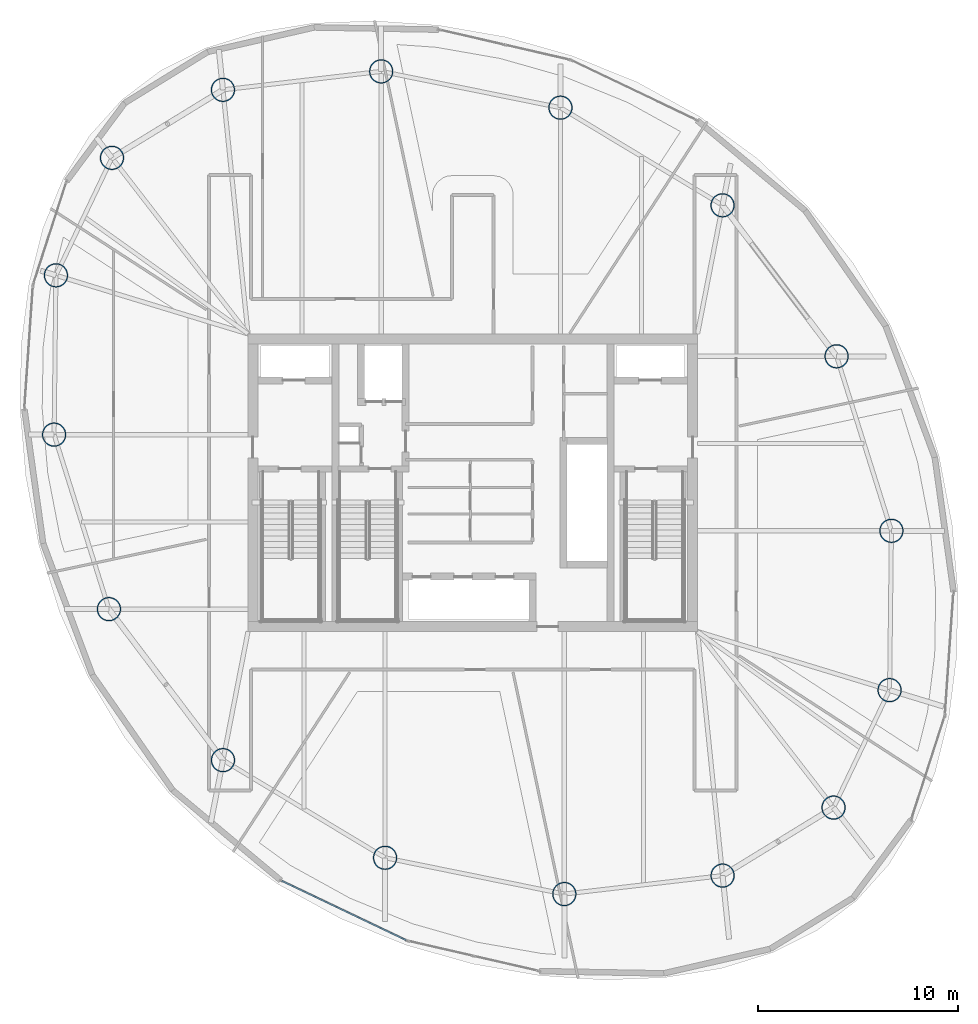
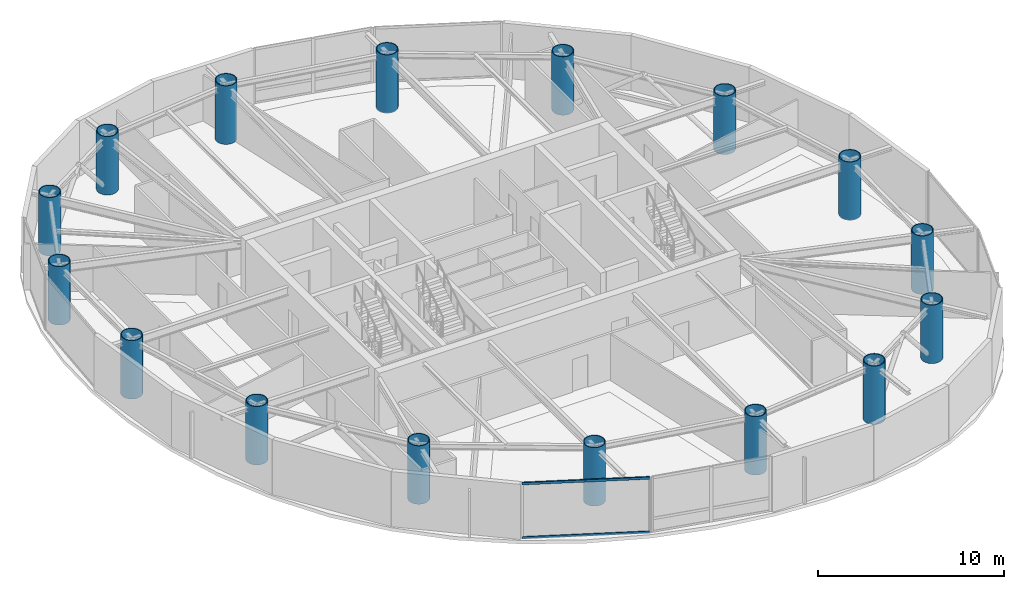
# One storey, part 1 of 22: 16 columns, 2 members, 1 element without a shape of its own.
"""IFC4 building model written with IfcOpenShell, lengths in metres."""

from ifc_helpers import new_model, si_unit, direction, frame, origin, origin_2d, place, context, subcontext, project, spatial, hollow_rectangle, hollow_circle, extrude, material, layer, layer_set, material_profile, profile_set, type_object, element, aggregate, save


model = new_model("IFC4")

# Units and contexts
model_context = context("Model", 3, precision=1e-05, world=origin(), true_north=direction((0.0, 1.0)))
body_context = subcontext(model_context, "Body", "Model", "MODEL_VIEW")
ifc_project = project(units=[si_unit("LENGTHUNIT", "METRE"), si_unit("AREAUNIT", "SQUARE_METRE"), si_unit("VOLUMEUNIT", "CUBIC_METRE"), si_unit("PLANEANGLEUNIT", "RADIAN"), si_unit("MASSUNIT", "GRAM", prefix="KILO")], contexts=[model_context])

# Site, building, storey
site_placement = place(None, origin())
site = spatial("IfcSite", under=ifc_project, at=site_placement, CompositionType="ELEMENT")
building_placement = place(site_placement, origin())
building = spatial("IfcBuilding", under=site, at=building_placement, Name="Bramvorn Convention Spire", CompositionType="ELEMENT")
storey_placement = place(building_placement, frame((0.0, 0.0, 221.25)))
storey = spatial("IfcBuildingStorey", under=building, at=storey_placement, Name="L56", CompositionType="ELEMENT", Elevation=221.25)

# Columns
ifc_material_1 = material(Name="Steel CSA G40.21 Grade 350 (350W)", Category="steel")
ifc_material_profile_1 = material_profile(ifc_material_1, hollow_circle(Radius=0.60009765625, WallThickness=0.050048828125, at=origin_2d()))
ifc_profile_set_1 = profile_set([ifc_material_profile_1], Name="Steel CSA G40.21 Grade 350 (350W) - CFT1200X50")
column_type = type_object("IfcColumnType", Name="COL-CFT1200X50", PredefinedType="COLUMN", material=ifc_profile_set_1)
for number, where, z_axis, x_axis, name in (
    (1, (56.058349609375, 9.739990234375, 0.0), (0.0, 0.0, 1.0), (1.0, 0.0, 0.0), "L56 composite CFT mega-column MC01"),
    (2, (58.863037109375, 15.619384765625, 0.0), (0.0, 0.0, 1.0), (1.0, 0.0, 0.0), "L56 composite CFT mega-column MC02"),
    (3, (58.95458984375, 23.593505859375, 0.0), (0.0, 0.0, 1.0), (1.0, 0.0, 0.0), "L56 composite CFT mega-column MC03"),
    (4, (56.21044921875, 32.327392578125, 0.0), (0.0, 0.0, 1.0), (1.0, 0.0, 0.0), "L56 composite CFT mega-column MC04"),
    (5, (50.501953125, 39.885009765625, 0.0), (0.0, 0.0, 1.0), (1.0, 0.0, 0.0), "L56 composite CFT mega-column MC05"),
    (6, (42.38916015625, 44.772216796875, 0.0), (0.0, 0.0, 1.0), (1.0, 0.0, 0.0), "L56 composite CFT mega-column MC06"),
    (7, (33.416259765625, 46.58837890625, 0.0), (0.0, 0.0, 1.0), (1.0, 0.0, 0.0), "L56 composite CFT mega-column MC07"),
    (8, (25.49560546875, 45.663818359375, 0.0), (0.0, 0.0, 1.0), (1.0, 0.0, 0.0), "L56 composite CFT mega-column MC08"),
    (9, (19.941650390625, 42.260009765625, 0.0), (0.0, 0.0, 1.0), (1.0, 0.0, 0.0), "L56 composite CFT mega-column MC09"),
    (10, (17.136962890625, 36.380615234375, 0.0), (0.0, 0.0, 1.0), (1.0, 0.0, 0.0), "L56 composite CFT mega-column MC10"),
    (11, (17.04541015625, 28.406494140625, 0.0), (0.0, 0.0, 1.0), (1.0, 0.0, 0.0), "L56 composite CFT mega-column MC11"),
    (12, (19.78955078125, 19.672607421875, 0.0), (0.0, 0.0, 1.0), (1.0, 0.0, 0.0), "L56 composite CFT mega-column MC12"),
    (13, (25.498046875, 12.114990234375, 0.0), (0.0, 0.0, 1.0), (1.0, 0.0, 0.0), "L56 composite CFT mega-column MC13"),
    (14, (33.61083984375, 7.227783203125, 0.0), (0.0, 0.0, 1.0), (1.0, 0.0, 0.0), "L56 composite CFT mega-column MC14"),
    (15, (42.583740234375, 5.41162109375, 0.0), (0.0, 0.0, 1.0), (1.0, 0.0, 0.0), "L56 composite CFT mega-column MC15"),
    (16, (50.50439453125, 6.336181640625, 0.0), (0.0, 0.0, 1.0), (1.0, 0.0, 0.0), "L56 composite CFT mega-column MC16"),
):
    element("IfcColumn", number, at=place(storey_placement, frame(where, z_axis=z_axis, x_axis=x_axis)), inside=storey, type_object=column_type, Name=name, PredefinedType="COLUMN", context=body_context, shape_type="SweptSolid", body=[
        extrude(hollow_circle(Radius=0.60009765625, WallThickness=0.050048828125, at=origin_2d()), origin(), (0.0, 0.0, 1.0), 3.85009765625),
    ])

# Curtain wall, members
ifc_material_2 = material(Name="Anodised Bronze Unitised Curtain Wall", Category="aluminium")
ifc_layer = layer(ifc_material_2, 0.179931640625)
ifc_layer_set = layer_set([ifc_layer], Name="Anodised Bronze Unitised Curtain Wall - CW-OFF-FRIT")
curtain_wall_type = type_object("IfcCurtainWallType", Name="CW-OFF-FRIT", PredefinedType="USERDEFINED", material=ifc_layer_set)
curtain_wall_placement = place(storey_placement, origin())
curtain_wall = element("IfcCurtainWall", 17, at=curtain_wall_placement, inside=storey, type_object=curtain_wall_type, Name="L56 fritted glass curtain wall 20", ObjectType="UNITISED CURTAIN WALL", PredefinedType="USERDEFINED")
ifc_material_3 = material(Name="Anodised Bronze Aluminium 6063-T6", Category="aluminium")
ifc_material_profile_2 = material_profile(ifc_material_3, hollow_rectangle(XDim=0.080078125, YDim=0.159912109375, WallThickness=0.00390625, InnerFilletRadius=0.0009765625, OuterFilletRadius=0.00390625, at=origin_2d()))
ifc_profile_set_2 = profile_set([ifc_material_profile_2], Name="Anodised Bronze Aluminium 6063-T6 - CWT80X160")
member_type = type_object("IfcMemberType", Name="CW-TRN-150", PredefinedType="USERDEFINED", material=ifc_profile_set_2)
member_1_placement = place(storey_placement, frame((34.669189453125, 3.0986328125, 0.030029296875), z_axis=(-0.902521997108, 0.430643756179, 0.0), x_axis=(-0.430643756179, -0.902521997108, 0.0)))
member_1 = element("IfcMember", 18, at=member_1_placement, type_object=member_type, Name="CW3 transom 1.1", ObjectType="TRANSOM", PredefinedType="USERDEFINED", context=body_context, shape_type="SweptSolid", body=[
    extrude(hollow_rectangle(XDim=0.080078125, YDim=0.159912109375, WallThickness=0.00390625, InnerFilletRadius=0.0009765625, OuterFilletRadius=0.00390625, at=origin_2d()), origin(), (0.0, 0.0, 1.0), 6.897705078125),
])
member_2_placement = place(storey_placement, frame((34.669189453125, 3.0986328125, 3.590087890625), z_axis=(-0.902521997108, 0.430643756179, 0.0), x_axis=(-0.430643756179, -0.902521997108, 0.0)))
member_2 = element("IfcMember", 19, at=member_2_placement, type_object=member_type, Name="CW3 transom 1.2", ObjectType="TRANSOM", PredefinedType="USERDEFINED", context=body_context, shape_type="SweptSolid", body=[
    extrude(hollow_rectangle(XDim=0.080078125, YDim=0.159912109375, WallThickness=0.00390625, InnerFilletRadius=0.0009765625, OuterFilletRadius=0.00390625, at=origin_2d()), origin(), (0.0, 0.0, 1.0), 6.897705078125),
])
aggregate(curtain_wall, [member_1, member_2])

save(model, "model.ifc")
